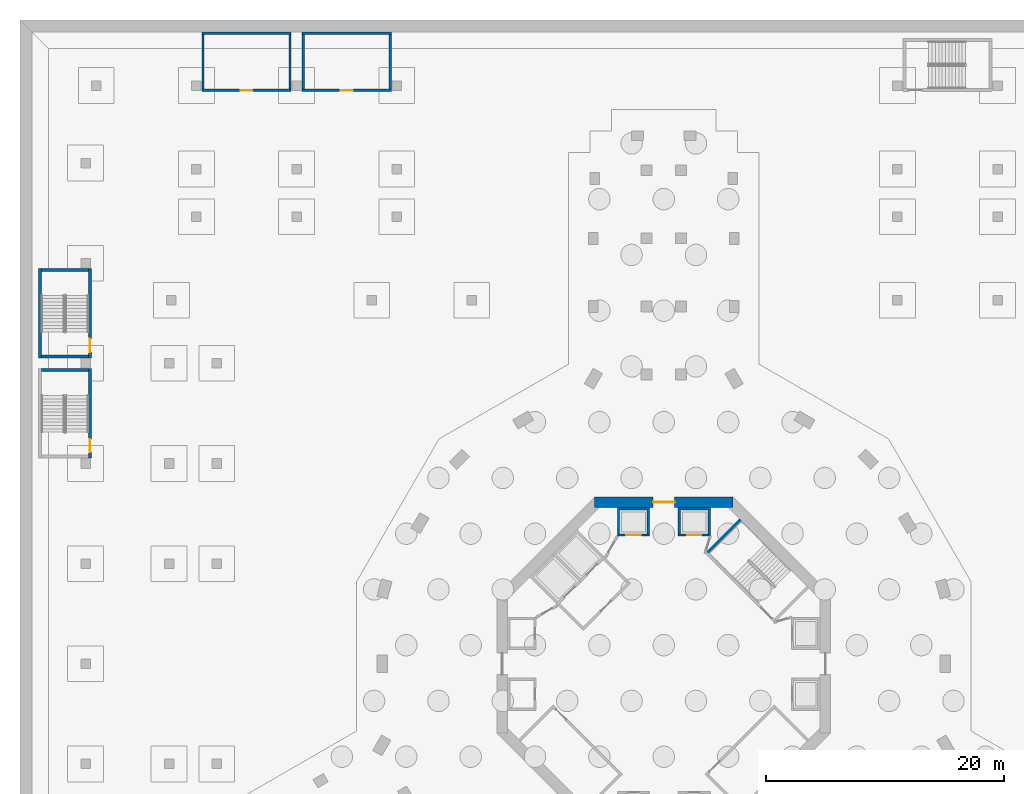
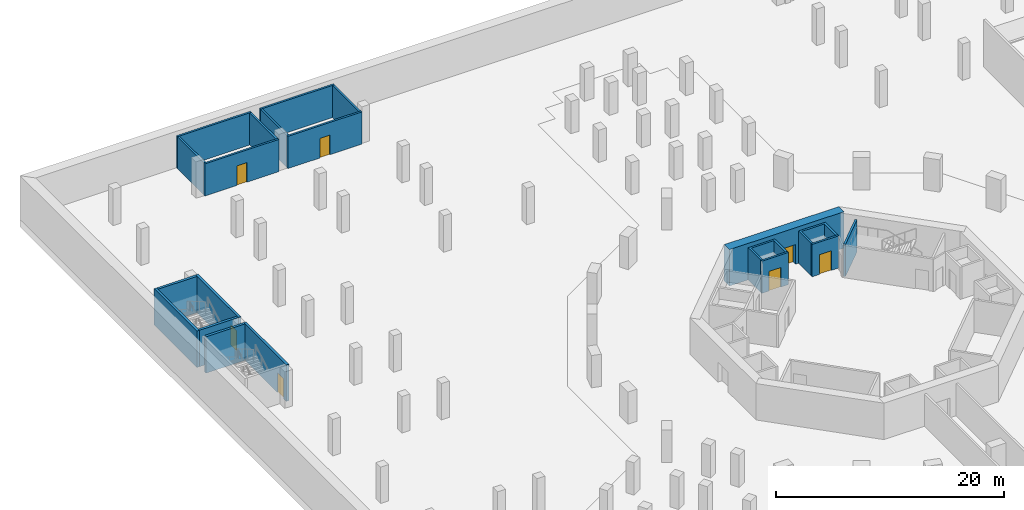
# One storey, part 11 of 27: 20 walls, 7 doors, 7 openings.
"""IFC4 building model written with IfcOpenShell, lengths in metres."""

from ifc_helpers import new_model, si_unit, direction, frame, frame_2d, origin, place, context, subcontext, project, spatial, polyline, rectangle, outline, extrude, material, layer, layer_set, type_object, element, fill, save


model = new_model("IFC4")

# Units and contexts
model_context = context("Model", 3, precision=1e-05, world=origin(), true_north=direction((0.0, 1.0)))
body_context = subcontext(model_context, "Body", "Model", "MODEL_VIEW")
ifc_project = project(units=[si_unit("LENGTHUNIT", "METRE"), si_unit("AREAUNIT", "SQUARE_METRE"), si_unit("VOLUMEUNIT", "CUBIC_METRE"), si_unit("PLANEANGLEUNIT", "RADIAN"), si_unit("MASSUNIT", "GRAM", prefix="KILO")], contexts=[model_context])

# Site, building, storey
site_placement = place(None, origin())
site = spatial("IfcSite", under=ifc_project, at=site_placement, CompositionType="ELEMENT")
building_placement = place(site_placement, origin())
building = spatial("IfcBuilding", under=site, at=building_placement, Name="Verdalira Terraces Hotel", CompositionType="ELEMENT")
storey_placement = place(building_placement, frame((0.0, 0.0, -11.699951)))
storey = spatial("IfcBuildingStorey", under=building, at=storey_placement, Name="B3", CompositionType="ELEMENT", Elevation=-11.699951171875)

# Wall
ifc_material_1 = material(Name="Concrete C50", Category="concrete")
ifc_layer_1 = layer(ifc_material_1, 0.199951171875)
ifc_layer_set_1 = layer_set([ifc_layer_1], Name="Core RC wall 200 C50")
wall_type_1 = type_object("IfcWallType", Name="Core RC wall 200 C50", PredefinedType="SOLIDWALL", material=ifc_layer_set_1)
wall_1_placement = place(storey_placement, origin())
element("IfcWall", 1, at=wall_1_placement, inside=storey, type_object=wall_type_1, Name="B3 shaft wall N1", PredefinedType="SOLIDWALL", context=body_context, shape_type="SweptSolid", body=[
    extrude(outline(polyline([(3.899902, 13.100098), (3.899902, 10.899902), (3.699951, 10.899902), (3.699951, 12.899902), (1.399902, 12.899902), (1.399902, 10.899902), (1.199951, 10.899902), (1.199951, 13.100098), (3.899902, 13.100098)])), origin(), (0.0, 0.0, 1.0), 3.449951),
])

# Wall, opening, door
wall_2_placement = place(storey_placement, frame((1.199951, 10.800049, 0.0), z_axis=(0.0, 0.0, 1.0), x_axis=(1.0, 0.0, 0.0)))
wall_2 = element("IfcWall", 2, at=wall_2_placement, inside=storey, type_object=wall_type_1, Name="B3 shaft front wall N1", PredefinedType="SOLIDWALL", context=body_context, shape_type="SweptSolid", body=[
    extrude(rectangle(XDim=2.699951, YDim=0.199951, at=frame_2d((1.350098, 0.0))), origin(), (0.0, 0.0, 1.0), 3.449951),
])
opening_1_placement = place(wall_2_placement, frame((0.75, 0.0, 0.0)))
opening_1 = element("IfcOpeningElement", 3, at=opening_1_placement, cuts=wall_2, Name="Opening LD-B3-807", PredefinedType="OPENING", context=body_context, shape_type="SweptSolid", body=[
    extrude(rectangle(XDim=1.199951, YDim=2.100098, at=frame_2d((0.600098, 1.050049))), frame((0.0, 0.109863, 0.0), z_axis=(0.0, -1.0, 0.0), x_axis=(1.0, 0.0, 0.0)), (0.0, 0.0, 1.0), 0.219971),
])
ifc_material_2 = material(Name="Stainless steel", Category="steel")
door_type_1 = type_object("IfcDoorType", Name="Landing door 1200 x 2100", OperationType="NOTDEFINED", PredefinedType="DOOR", material=ifc_material_2)
door_1_placement = place(opening_1_placement, origin())
door_1 = element("IfcDoor", 4, at=door_1_placement, inside=storey, type_object=door_type_1, Name="Lift landing door LR3 B3", OperationType="DOUBLE_DOOR_SLIDING", OverallHeight=2.10009765625, OverallWidth=1.199951171875, PredefinedType="DOOR", context=body_context, shape_type="SweptSolid", body=[
    extrude(rectangle(XDim=1.199951, YDim=2.100098, at=frame_2d((0.600098, 1.050049))), frame((0.0, 0.024902, 0.0), z_axis=(0.0, -1.0, 0.0), x_axis=(1.0, 0.0, 0.0)), (0.0, 0.0, 1.0), 0.050049),
])
fill(opening_1, door_1)

# Wall
wall_3_placement = place(storey_placement, origin())
element("IfcWall", 5, at=wall_3_placement, inside=storey, type_object=wall_type_1, Name="B3 shaft wall N2", PredefinedType="SOLIDWALL", context=body_context, shape_type="SweptSolid", body=[
    extrude(outline(polyline([(-3.899902, 10.899902), (-3.899902, 13.100098), (-1.199951, 13.100098), (-1.199951, 10.899902), (-1.399902, 10.899902), (-1.399902, 12.899902), (-3.699951, 12.899902), (-3.699951, 10.899902), (-3.899902, 10.899902)])), origin(), (0.0, 0.0, 1.0), 3.449951),
])

# Wall, opening, door
wall_4_placement = place(storey_placement, frame((-1.199951, 10.800049, 0.0), z_axis=(0.0, 0.0, 1.0), x_axis=(-1.0, 0.0, 0.0)))
wall_4 = element("IfcWall", 6, at=wall_4_placement, inside=storey, type_object=wall_type_1, Name="B3 shaft front wall N2", PredefinedType="SOLIDWALL", context=body_context, shape_type="SweptSolid", body=[
    extrude(rectangle(XDim=2.699951, YDim=0.199951, at=frame_2d((1.350098, 0.0))), origin(), (0.0, 0.0, 1.0), 3.449951),
])
opening_2_placement = place(wall_4_placement, frame((0.75, 0.0, 0.0)))
opening_2 = element("IfcOpeningElement", 7, at=opening_2_placement, cuts=wall_4, Name="Opening LD-B3-808", PredefinedType="OPENING", context=body_context, shape_type="SweptSolid", body=[
    extrude(rectangle(XDim=1.199951, YDim=2.100098, at=frame_2d((0.600098, 1.050049))), frame((0.0, 0.109863, 0.0), z_axis=(0.0, -1.0, 0.0), x_axis=(1.0, 0.0, 0.0)), (0.0, 0.0, 1.0), 0.219971),
])
door_2_placement = place(opening_2_placement, origin())
door_2 = element("IfcDoor", 8, at=door_2_placement, inside=storey, type_object=door_type_1, Name="Lift landing door LR4 B3", OperationType="DOUBLE_DOOR_SLIDING", OverallHeight=2.10009765625, OverallWidth=1.199951171875, PredefinedType="DOOR", context=body_context, shape_type="SweptSolid", body=[
    extrude(rectangle(XDim=1.199951, YDim=2.100098, at=frame_2d((0.600098, 1.050049))), frame((0.0, 0.024902, 0.0), z_axis=(0.0, -1.0, 0.0), x_axis=(1.0, 0.0, 0.0)), (0.0, 0.0, 1.0), 0.050049),
])
fill(opening_2, door_2)

# Wall
wall_5_placement = place(storey_placement, frame((3.677002, 9.33374, 0.0), z_axis=(0.0, 0.0, 1.0), x_axis=(0.707106781, 0.707106781, 0.0)))
element("IfcWall", 9, at=wall_5_placement, inside=storey, type_object=wall_type_1, Name="B3 stair ST1 end wall 2", PredefinedType="SOLIDWALL", context=body_context, shape_type="SweptSolid", body=[
    extrude(rectangle(XDim=3.900146, YDim=0.199951, at=frame_2d((1.950195, 0.0))), origin(), (0.0, 0.0, 1.0), 3.449951),
])

# Wall, opening, door
ifc_material_3 = material(Name="Concrete C70", Category="concrete")
ifc_layer_2 = layer(ifc_material_3, 0.89990234375)
ifc_layer_set_2 = layer_set([ifc_layer_2], Name="Core wall 900 C70")
wall_type_2 = type_object("IfcWallType", Name="Core wall 900 C70", PredefinedType="SHEAR", material=ifc_layer_set_2)
wall_6_placement = place(storey_placement, frame((5.799072, 13.550049, 0.0), z_axis=(0.0, 0.0, 1.0), x_axis=(-1.0, 0.0, 0.0)))
wall_6 = element("IfcWall", 10, at=wall_6_placement, inside=storey, type_object=wall_type_2, Name="Core wall CW-B3-3", PredefinedType="SHEAR", context=body_context, shape_type="SweptSolid", body=[
    extrude(rectangle(XDim=11.598145, YDim=0.899902, at=frame_2d((5.799072, 0.0))), origin(), (0.0, 0.0, 1.0), 3.899902),
])
opening_3_placement = place(wall_6_placement, frame((4.898926, 0.0, 0.0)))
opening_3 = element("IfcOpeningElement", 11, at=opening_3_placement, cuts=wall_6, Name="Opening B3-815", PredefinedType="OPENING", context=body_context, shape_type="SweptSolid", body=[
    extrude(rectangle(XDim=1.800049, YDim=2.100098, at=frame_2d((0.899902, 1.050049))), frame((0.0, 0.459961, 0.0), z_axis=(0.0, -1.0, 0.0), x_axis=(1.0, 0.0, 0.0)), (0.0, 0.0, 1.0), 0.919922),
])
ifc_material_4 = material(Name="Steel fire door", Category="steel")
door_type_2 = type_object("IfcDoorType", Name="Core entry door pair 1800 x 2100", OperationType="NOTDEFINED", PredefinedType="DOOR", material=ifc_material_4)
door_3_placement = place(opening_3_placement, origin())
door_3 = element("IfcDoor", 12, at=door_3_placement, inside=storey, type_object=door_type_2, Name="Core entry door B3 2", OperationType="DOUBLE_DOOR_SINGLE_SWING", OverallHeight=2.10009765625, OverallWidth=1.800048828125, PredefinedType="DOOR", context=body_context, shape_type="SweptSolid", body=[
    extrude(rectangle(XDim=1.800049, YDim=2.100098, at=frame_2d((0.899902, 1.050049))), frame((0.0, 0.024902, 0.0), z_axis=(0.0, -1.0, 0.0), x_axis=(1.0, 0.0, 0.0)), (0.0, 0.0, 1.0), 0.050049),
])
fill(opening_3, door_3)

ifc_material_5 = material(Name="Concrete C40", Category="concrete")
ifc_layer_3 = layer(ifc_material_5, 0.199951171875)
ifc_layer_set_3 = layer_set([ifc_layer_3], Name="Service room wall 200 C40")
wall_type_3 = type_object("IfcWallType", Name="Service room wall 200 C40", PredefinedType="PARTITIONING", material=ifc_layer_set_3)
wall_7_placement = place(storey_placement, frame((-30.350098, 48.100098, 0.0), z_axis=(0.0, 0.0, 1.0), x_axis=(1.0, 0.0, 0.0)))
wall_7 = element("IfcWall", 13, at=wall_7_placement, inside=storey, type_object=wall_type_3, Name="Cistern wall", PredefinedType="PARTITIONING", context=body_context, shape_type="SweptSolid", body=[
    extrude(rectangle(XDim=7.5, YDim=0.199951, at=frame_2d((3.75, 0.0))), origin(), (0.0, 0.0, 1.0), 3.449951),
])
opening_4_placement = place(wall_7_placement, frame((3.25, 0.0, 0.0)))
opening_4 = element("IfcOpeningElement", 14, at=opening_4_placement, cuts=wall_7, Name="Opening B3-D610", PredefinedType="OPENING", context=body_context, shape_type="SweptSolid", body=[
    extrude(rectangle(XDim=1.0, YDim=2.100098, at=frame_2d((0.5, 1.050049))), frame((0.0, 0.109863, 0.0), z_axis=(0.0, -1.0, 0.0), x_axis=(1.0, 0.0, 0.0)), (0.0, 0.0, 1.0), 0.219971),
])
ifc_material_6 = material(Name="Steel fire door", Category="steel")
door_type_3 = type_object("IfcDoorType", Name="Service room door 1000 x 2100", OperationType="SINGLE_SWING_LEFT", PredefinedType="DOOR", material=ifc_material_6)
door_4_placement = place(opening_4_placement, origin())
door_4 = element("IfcDoor", 15, at=door_4_placement, inside=storey, type_object=door_type_3, Name="Cistern door", OperationType="SINGLE_SWING_LEFT", OverallHeight=2.10009765625, OverallWidth=1.0, PredefinedType="DOOR", context=body_context, shape_type="SweptSolid", body=[
    extrude(rectangle(XDim=1.0, YDim=2.100098, at=frame_2d((0.5, 1.050049))), frame((0.0, 0.024902, 0.0), z_axis=(0.0, -1.0, 0.0), x_axis=(1.0, 0.0, 0.0)), (0.0, 0.0, 1.0), 0.050049),
])
fill(opening_4, door_4)

# Walls
wall_8_placement = place(storey_placement, frame((-30.350098, 52.899902, 0.0), z_axis=(0.0, 0.0, 1.0), x_axis=(1.0, 0.0, 0.0)))
element("IfcWall", 16, at=wall_8_placement, inside=storey, type_object=wall_type_3, Name="Cistern wall", PredefinedType="PARTITIONING", context=body_context, shape_type="SweptSolid", body=[
    extrude(rectangle(XDim=7.5, YDim=0.199951, at=frame_2d((3.75, 0.0))), origin(), (0.0, 0.0, 1.0), 3.449951),
])
for number, where, z_axis, x_axis, name in (
    (17, (-30.25, 48.199951, 0.0), (0.0, 0.0, 1.0), (0.0, 1.0, 0.0), "Cistern wall"),
    (18, (-22.949951, 48.199951, 0.0), (0.0, 0.0, 1.0), (0.0, 1.0, 0.0), "Cistern wall"),
):
    element("IfcWall", number, at=place(storey_placement, frame(where, z_axis=z_axis, x_axis=x_axis)), inside=storey, type_object=wall_type_3, Name=name, PredefinedType="PARTITIONING", context=body_context, shape_type="SweptSolid", body=[
        extrude(rectangle(XDim=4.600098, YDim=0.199951, at=frame_2d((2.300049, 0.0))), origin(), (0.0, 0.0, 1.0), 3.449951),
    ])

# Wall, opening, door
wall_9_placement = place(storey_placement, frame((-38.75, 48.100098, 0.0), z_axis=(0.0, 0.0, 1.0), x_axis=(1.0, 0.0, 0.0)))
wall_9 = element("IfcWall", 19, at=wall_9_placement, inside=storey, type_object=wall_type_3, Name="Smoke extract fan room wall", PredefinedType="PARTITIONING", context=body_context, shape_type="SweptSolid", body=[
    extrude(rectangle(XDim=7.5, YDim=0.199951, at=frame_2d((3.75, 0.0))), origin(), (0.0, 0.0, 1.0), 3.449951),
])
opening_5_placement = place(wall_9_placement, frame((3.25, 0.0, 0.0)))
opening_5 = element("IfcOpeningElement", 20, at=opening_5_placement, cuts=wall_9, Name="Opening B3-D611", PredefinedType="OPENING", context=body_context, shape_type="SweptSolid", body=[
    extrude(rectangle(XDim=1.0, YDim=2.100098, at=frame_2d((0.5, 1.050049))), frame((0.0, 0.109863, 0.0), z_axis=(0.0, -1.0, 0.0), x_axis=(1.0, 0.0, 0.0)), (0.0, 0.0, 1.0), 0.219971),
])
door_5_placement = place(opening_5_placement, origin())
door_5 = element("IfcDoor", 21, at=door_5_placement, inside=storey, type_object=door_type_3, Name="Smoke extract fan room door", OperationType="SINGLE_SWING_RIGHT", OverallHeight=2.10009765625, OverallWidth=1.0, PredefinedType="DOOR", context=body_context, shape_type="SweptSolid", body=[
    extrude(rectangle(XDim=1.0, YDim=2.100098, at=frame_2d((0.5, 1.050049))), frame((0.0, 0.024902, 0.0), z_axis=(0.0, -1.0, 0.0), x_axis=(1.0, 0.0, 0.0)), (0.0, 0.0, 1.0), 0.050049),
])
fill(opening_5, door_5)

# Walls
wall_10_placement = place(storey_placement, frame((-38.75, 52.899902, 0.0), z_axis=(0.0, 0.0, 1.0), x_axis=(1.0, 0.0, 0.0)))
element("IfcWall", 22, at=wall_10_placement, inside=storey, type_object=wall_type_3, Name="Smoke extract fan room wall", PredefinedType="PARTITIONING", context=body_context, shape_type="SweptSolid", body=[
    extrude(rectangle(XDim=7.5, YDim=0.199951, at=frame_2d((3.75, 0.0))), origin(), (0.0, 0.0, 1.0), 3.449951),
])
for number, where, z_axis, x_axis, name in (
    (23, (-38.649902, 48.199951, 0.0), (0.0, 0.0, 1.0), (0.0, 1.0, 0.0), "Smoke extract fan room wall"),
    (24, (-31.350098, 48.199951, 0.0), (0.0, 0.0, 1.0), (0.0, 1.0, 0.0), "Smoke extract fan room wall"),
):
    element("IfcWall", number, at=place(storey_placement, frame(where, z_axis=z_axis, x_axis=x_axis)), inside=storey, type_object=wall_type_3, Name=name, PredefinedType="PARTITIONING", context=body_context, shape_type="SweptSolid", body=[
        extrude(rectangle(XDim=4.600098, YDim=0.199951, at=frame_2d((2.300049, 0.0))), origin(), (0.0, 0.0, 1.0), 3.449951),
    ])
ifc_material_7 = material(Name="Concrete C40", Category="concrete")
ifc_layer_4 = layer(ifc_material_7, 0.25)
ifc_layer_set_4 = layer_set([ifc_layer_4], Name="Stair enclosure wall 250 C40")
wall_type_4 = type_object("IfcWallType", Name="Stair enclosure wall 250 C40", PredefinedType="SOLIDWALL", material=ifc_layer_set_4)
wall_11_placement = place(storey_placement, frame((-52.324951, 25.649902, 0.0), z_axis=(0.0, 0.0, 1.0), x_axis=(0.0, 1.0, 0.0)))
element("IfcWall", 25, at=wall_11_placement, inside=storey, type_object=wall_type_4, Name="Stair BS4 enclosure wall", PredefinedType="SOLIDWALL", context=body_context, shape_type="SweptSolid", body=[
    extrude(rectangle(XDim=7.5, YDim=0.25, at=frame_2d((3.75, 0.0))), origin(), (0.0, 0.0, 1.0), 3.899902),
])

# Wall, opening, door
wall_12_placement = place(storey_placement, frame((-48.125, 25.649902, 0.0), z_axis=(0.0, 0.0, 1.0), x_axis=(0.0, 1.0, 0.0)))
wall_12 = element("IfcWall", 26, at=wall_12_placement, inside=storey, type_object=wall_type_4, Name="Stair BS4 enclosure wall", PredefinedType="SOLIDWALL", context=body_context, shape_type="SweptSolid", body=[
    extrude(rectangle(XDim=7.5, YDim=0.25, at=frame_2d((3.75, 0.0))), origin(), (0.0, 0.0, 1.0), 3.899902),
])
opening_6_placement = place(wall_12_placement, frame((0.5, 0.0, 0.0)))
opening_6 = element("IfcOpeningElement", 27, at=opening_6_placement, cuts=wall_12, Name="Opening B3-D604", PredefinedType="OPENING", context=body_context, shape_type="SweptSolid", body=[
    extrude(rectangle(XDim=1.100098, YDim=2.100098, at=frame_2d((0.550049, 1.050049))), frame((0.0, 0.13501, 0.0), z_axis=(0.0, -1.0, 0.0), x_axis=(1.0, 0.0, 0.0)), (0.0, 0.0, 1.0), 0.27002),
])
ifc_material_8 = material(Name="Steel fire door", Category="steel")
door_type_4 = type_object("IfcDoorType", Name="Stair door 1100 x 2100", OperationType="SINGLE_SWING_LEFT", PredefinedType="DOOR", material=ifc_material_8)
door_6_placement = place(opening_6_placement, origin())
door_6 = element("IfcDoor", 28, at=door_6_placement, inside=storey, type_object=door_type_4, Name="Stair BS4 door", OperationType="SINGLE_SWING_LEFT", OverallHeight=2.10009765625, OverallWidth=1.10009765625, PredefinedType="DOOR", context=body_context, shape_type="SweptSolid", body=[
    extrude(rectangle(XDim=1.100098, YDim=2.100098, at=frame_2d((0.550049, 1.050049))), frame((0.0, 0.024902, 0.0), z_axis=(0.0, -1.0, 0.0), x_axis=(1.0, 0.0, 0.0)), (0.0, 0.0, 1.0), 0.050049),
])
fill(opening_6, door_6)

# Walls
for number, where, z_axis, x_axis, name in (
    (29, (-48.25, 25.774902, 0.0), (0.0, 0.0, 1.0), (-1.0, 0.0, 0.0), "Stair BS4 enclosure wall"),
    (30, (-48.25, 33.024902, 0.0), (0.0, 0.0, 1.0), (-1.0, 0.0, 0.0), "Stair BS4 enclosure wall"),
):
    element("IfcWall", number, at=place(storey_placement, frame(where, z_axis=z_axis, x_axis=x_axis)), inside=storey, type_object=wall_type_4, Name=name, PredefinedType="SOLIDWALL", context=body_context, shape_type="SweptSolid", body=[
        extrude(rectangle(XDim=3.949951, YDim=0.25, at=frame_2d((1.975098, 0.0))), origin(), (0.0, 0.0, 1.0), 3.899902),
    ])

# Wall, opening, door
wall_13_placement = place(storey_placement, frame((-48.125, 17.25, 0.0), z_axis=(0.0, 0.0, 1.0), x_axis=(0.0, 1.0, 0.0)))
wall_13 = element("IfcWall", 31, at=wall_13_placement, inside=storey, type_object=wall_type_4, Name="Stair BS7 enclosure wall", PredefinedType="SOLIDWALL", context=body_context, shape_type="SweptSolid", body=[
    extrude(rectangle(XDim=7.5, YDim=0.25, at=frame_2d((3.75, 0.0))), origin(), (0.0, 0.0, 1.0), 3.899902),
])
opening_7_placement = place(wall_13_placement, frame((0.5, 0.0, 0.0)))
opening_7 = element("IfcOpeningElement", 32, at=opening_7_placement, cuts=wall_13, Name="Opening B3-D607", PredefinedType="OPENING", context=body_context, shape_type="SweptSolid", body=[
    extrude(rectangle(XDim=1.100098, YDim=2.100098, at=frame_2d((0.550049, 1.050049))), frame((0.0, 0.13501, 0.0), z_axis=(0.0, -1.0, 0.0), x_axis=(1.0, 0.0, 0.0)), (0.0, 0.0, 1.0), 0.27002),
])
door_7_placement = place(opening_7_placement, origin())
door_7 = element("IfcDoor", 33, at=door_7_placement, inside=storey, type_object=door_type_4, Name="Stair BS7 door", OperationType="SINGLE_SWING_LEFT", OverallHeight=2.10009765625, OverallWidth=1.10009765625, PredefinedType="DOOR", context=body_context, shape_type="SweptSolid", body=[
    extrude(rectangle(XDim=1.100098, YDim=2.100098, at=frame_2d((0.550049, 1.050049))), frame((0.0, 0.024902, 0.0), z_axis=(0.0, -1.0, 0.0), x_axis=(1.0, 0.0, 0.0)), (0.0, 0.0, 1.0), 0.050049),
])
fill(opening_7, door_7)

# Wall
wall_14_placement = place(storey_placement, frame((-48.25, 24.625, 0.0), z_axis=(0.0, 0.0, 1.0), x_axis=(-1.0, 0.0, 0.0)))
element("IfcWall", 34, at=wall_14_placement, inside=storey, type_object=wall_type_4, Name="Stair BS7 enclosure wall", PredefinedType="SOLIDWALL", context=body_context, shape_type="SweptSolid", body=[
    extrude(rectangle(XDim=3.949951, YDim=0.25, at=frame_2d((1.975098, 0.0))), origin(), (0.0, 0.0, 1.0), 3.899902),
])

save(model, "model.ifc")
